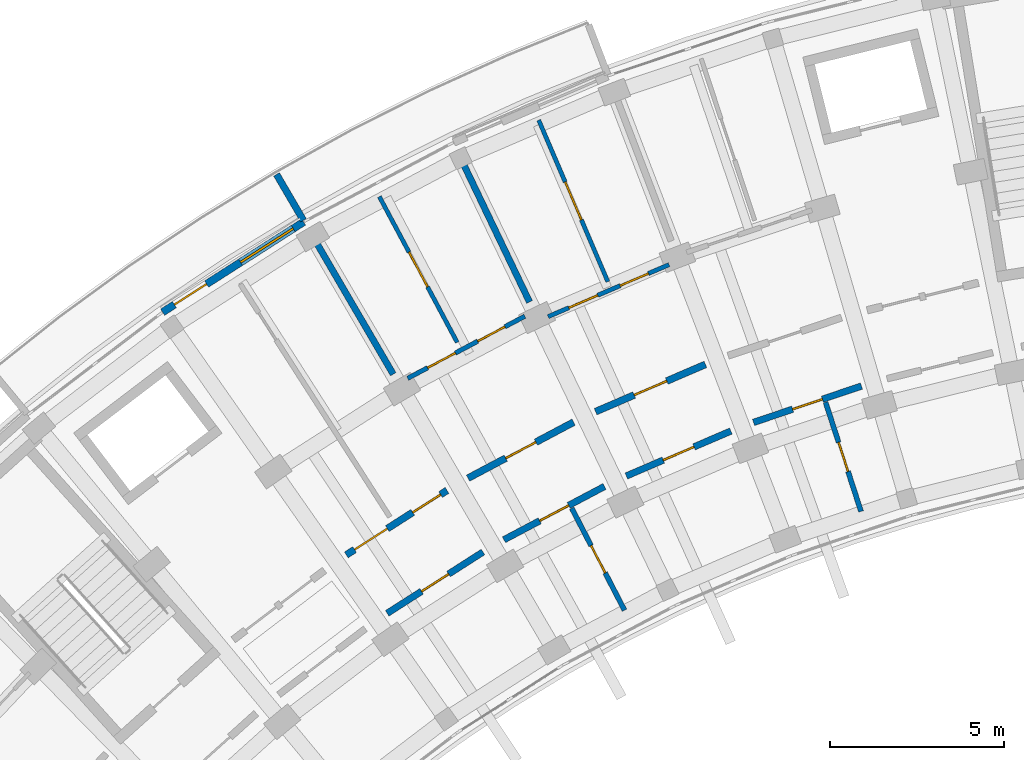
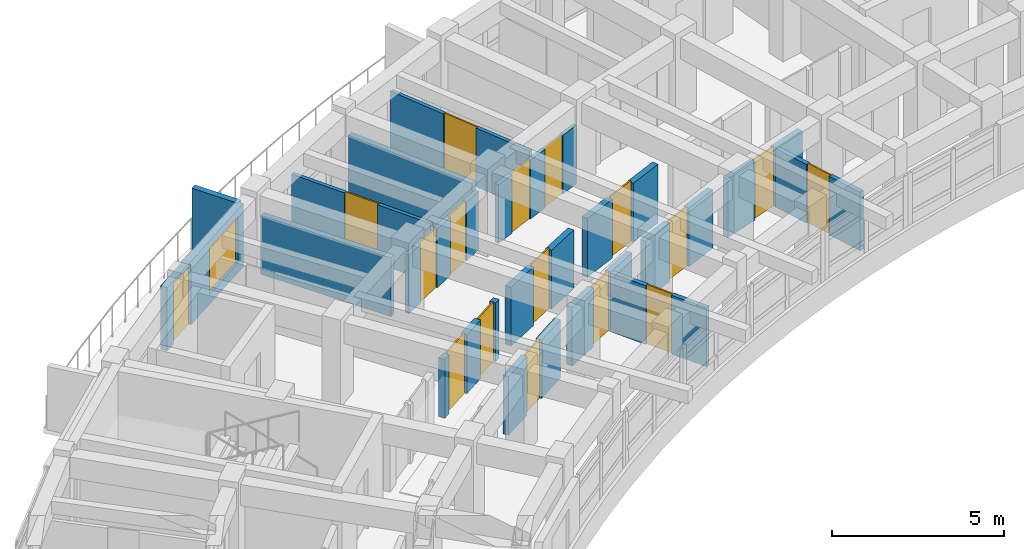
# One storey, part 45 of 70: 17 doors, 17 walls, 1 window, 18 openings.
"""IFC4 building model written with IfcOpenShell, lengths in metres."""

import ifcopenshell
import ifcopenshell.guid

model = None  # the IFC model being written
_history = None  # IfcOwnerHistory: only IFC2X3 demands one
_inside = {}  # id of a spatial element -> (the spatial element, [elements in it])
_under = {}  # id of a project, library or spatial element -> (it, [spatial elements below it])
_declared = {}  # id of a project -> (the project, [libraries it declares])
_typed = {}  # id of a type object -> (the type object, [elements of that type])
_made_of = {}  # id of a material, layer set ... -> (it, [elements and type objects made of it])


def new_model(schema):
    """Start an empty IFC model of exactly this schema.

    Asked for "IFC4X3", IfcOpenShell would pick the latest addendum, in which some entities
    have other attributes; the version numbers below select the first issue.
    IFC2X3 requires an IfcOwnerHistory on every rooted entity: one is made here for all.
    """
    global model, _history
    if schema == "IFC4X3":
        model = ifcopenshell.file(schema_version=(4, 3, 0, 0))
    else:
        model = ifcopenshell.file(schema=schema)
    _inside.clear()
    _under.clear()
    _declared.clear()
    _typed.clear()
    _made_of.clear()
    _history = None
    if model.schema == "IFC2X3":
        org = make("IfcOrganization", Name="unknown")
        user = make(
            "IfcPersonAndOrganization",
            ThePerson=make("IfcPerson", FamilyName="unknown"),
            TheOrganization=org,
        )
        app = make(
            "IfcApplication",
            ApplicationDeveloper=org,
            Version="unknown",
            ApplicationFullName="unknown",
            ApplicationIdentifier="unknown",
        )
        _history = make(
            "IfcOwnerHistory",
            OwningUser=user,
            OwningApplication=app,
            ChangeAction="ADDED",
            CreationDate=0,
        )
    return model


def make(cls, **values):
    """One entity of the class cls with the attributes given. An attribute that is None is left unset."""
    return model.create_entity(
        cls, **{name: value for name, value in values.items() if value is not None}
    )


def rooted(cls, **values):
    """An entity with a GlobalId (a new one), such as an element, a storey or a relation."""
    return make(cls, GlobalId=ifcopenshell.guid.new(), OwnerHistory=_history, **values)


def si_unit(unit_type, name, prefix=None):
    """IfcSIUnit, for example si_unit("LENGTHUNIT", "METRE", prefix="MILLI")."""
    return make("IfcSIUnit", UnitType=unit_type, Prefix=prefix, Name=name)


def assignment(units):
    """IfcUnitAssignment: the units of a project."""
    return None if units is None else make("IfcUnitAssignment", Units=units)


def point(xyz):
    """IfcCartesianPoint."""
    return None if xyz is None else make("IfcCartesianPoint", Coordinates=xyz)


def direction(xyz):
    """IfcDirection."""
    return None if xyz is None else make("IfcDirection", DirectionRatios=xyz)


def frame(location, z_axis=None, x_axis=None):
    """IfcAxis2Placement3D, a coordinate frame: its origin and axes. An axis left out is left unset."""
    return make(
        "IfcAxis2Placement3D",
        Location=point(location),
        Axis=direction(z_axis),
        RefDirection=direction(x_axis),
    )


def frame_2d(location, x_axis=None):
    """IfcAxis2Placement2D, a coordinate frame in the plane: its origin and x axis."""
    return make(
        "IfcAxis2Placement2D", Location=point(location), RefDirection=direction(x_axis)
    )


def origin():
    """The frame at (0, 0, 0) with its axes left unset."""
    return frame((0.0, 0.0, 0.0))


def place(relative_to, where):
    """IfcLocalPlacement: puts the frame where relative to a parent placement (None: the world)."""
    return make(
        "IfcLocalPlacement", PlacementRelTo=relative_to, RelativePlacement=where
    )


def context(
    kind, dimensions, precision=None, world=None, true_north=None, identifier=None
):
    """IfcGeometricRepresentationContext, for example the 3D "Model" context."""
    return make(
        "IfcGeometricRepresentationContext",
        ContextIdentifier=identifier,
        ContextType=kind,
        CoordinateSpaceDimension=dimensions,
        Precision=precision,
        WorldCoordinateSystem=world,
        TrueNorth=true_north,
    )


def subcontext(parent, identifier, kind, view, scale=None):
    """IfcGeometricRepresentationSubContext, for example "Body" below "Model"."""
    return make(
        "IfcGeometricRepresentationSubContext",
        ContextIdentifier=identifier,
        ContextType=kind,
        ParentContext=parent,
        TargetScale=scale,
        TargetView=view,
    )


def project(units=None, contexts=None):
    """IfcProject with its units and contexts."""
    return rooted(
        "IfcProject",
        Name="project",
        RepresentationContexts=contexts,
        UnitsInContext=assignment(units),
    )


def spatial(cls, under=None, at=None, **own):
    """A site, building, storey or space (cls), placed at a placement, below another one or the project."""
    s = rooted(cls, ObjectPlacement=at, **own)
    if under is not None:
        _under.setdefault(under.id(), (under, []))[1].append(s)
    return s


def profile(cls, at=None, kind="AREA", **sizes):
    """A parametric profile (cls). Its sizes go by their IFC names, for example OverallWidth=200.0."""
    return make(cls, ProfileType=kind, Position=at, **sizes)


def rectangle(**sizes):
    """IfcRectangleProfileDef."""
    return profile("IfcRectangleProfileDef", **sizes)


def extrude(swept, where, along, depth):
    """IfcExtrudedAreaSolid: the profile swept, set in the frame where, extruded along a direction by depth."""
    return make(
        "IfcExtrudedAreaSolid",
        SweptArea=swept,
        Position=where,
        ExtrudedDirection=direction(along),
        Depth=depth,
    )


def shape(context_of_items, identifier, shape_type, items):
    """IfcShapeRepresentation: the items that make up one representation, for example the "Body"."""
    return make(
        "IfcShapeRepresentation",
        ContextOfItems=context_of_items,
        RepresentationIdentifier=identifier,
        RepresentationType=shape_type,
        Items=items,
    )


def material(Name=None, Category=None):
    """IfcMaterial."""
    return make("IfcMaterial", Name=Name, Category=Category)


def layer(
    of_material, thickness, ventilated=None, Name=None, Category=None, Priority=None
):
    """IfcMaterialLayer: one layer of a wall or slab, of a material (None: an air gap)."""
    return make(
        "IfcMaterialLayer",
        Material=of_material,
        LayerThickness=thickness,
        IsVentilated=ventilated,
        Name=Name,
        Category=Category,
        Priority=Priority,
    )


def layer_set(layers, Name=None):
    """IfcMaterialLayerSet."""
    return make("IfcMaterialLayerSet", MaterialLayers=layers, LayerSetName=Name)


def made_of(thing, what):
    """Note that an element or type object is made of a material, layer set ...; save() writes the relation."""
    if what is not None:
        _made_of.setdefault(what.id(), (what, []))[1].append(thing)
    return thing


def type_object(cls, material=None, **own):
    """A type object (cls), such as IfcWallType, which elements share."""
    return made_of(rooted(cls, **own), material)


def element(
    cls,
    number,
    at=None,
    inside=None,
    cuts=None,
    type_object=None,
    material=None,
    context=None,
    identifier="Body",
    shape_type=None,
    held_by="IfcProductDefinitionShape",
    body=None,
    shapes=None,
    **own,
):
    """One element of the class cls, such as IfcWall. Its Tag is "e" and its number.

    at: its placement. inside: the storey or other place that contains it. cuts: it is an
    opening in that element (IfcRelVoidsElement). A single representation is given by context,
    identifier, shape_type and body (its items); several are given by shapes. held_by: the class
    of the entity that holds the representations. save() writes the other relations.
    """
    e = rooted(cls, Tag="e%d" % number, ObjectPlacement=at, **own)
    if body is not None:
        shapes = [shape(context, identifier, shape_type, body)]
    if shapes is not None:
        e.Representation = make(held_by, Representations=shapes)
    if inside is not None:
        _inside.setdefault(inside.id(), (inside, []))[1].append(e)
    if cuts is not None:
        rooted(
            "IfcRelVoidsElement", RelatingBuildingElement=cuts, RelatedOpeningElement=e
        )
    if type_object is not None:
        _typed.setdefault(type_object.id(), (type_object, []))[1].append(e)
    return made_of(e, material)


def fill(opening, filler):
    """IfcRelFillsElement: the door or window that sits in an opening."""
    return rooted(
        "IfcRelFillsElement",
        RelatingOpeningElement=opening,
        RelatedBuildingElement=filler,
    )


def aggregate(whole, parts):
    """IfcRelAggregates: a whole, such as a stair, and the parts it consists of."""
    return rooted("IfcRelAggregates", RelatingObject=whole, RelatedObjects=parts)


def save(model, path):
    """Write the relations noted so far, then the file.

    IfcRelAggregates (storeys below a building ...), IfcRelContainedInSpatialStructure (elements
    in a storey), IfcRelDefinesByType, IfcRelAssociatesMaterial and IfcRelDeclares: one each for
    every whole, place, type object, material and project.
    """
    for whole, parts in _under.values():
        aggregate(whole, parts)
    for where, things in _inside.values():
        rooted(
            "IfcRelContainedInSpatialStructure",
            RelatedElements=things,
            RelatingStructure=where,
        )
    for kind, things in _typed.values():
        rooted("IfcRelDefinesByType", RelatedObjects=things, RelatingType=kind)
    for what, things in _made_of.values():
        rooted("IfcRelAssociatesMaterial", RelatedObjects=things, RelatingMaterial=what)
    for by, libraries in _declared.values():
        rooted("IfcRelDeclares", RelatingContext=by, RelatedDefinitions=libraries)
    model.write(path)


model = new_model("IFC4")

# Units and contexts
model_context = context("Model", 3, precision=1e-05, world=origin(), true_north=direction((0.0, 1.0)))
body_context = subcontext(model_context, "Body", "Model", "MODEL_VIEW")
ifc_project = project(units=[si_unit("LENGTHUNIT", "METRE"), si_unit("AREAUNIT", "SQUARE_METRE"), si_unit("VOLUMEUNIT", "CUBIC_METRE"), si_unit("PLANEANGLEUNIT", "RADIAN"), si_unit("MASSUNIT", "GRAM", prefix="KILO")], contexts=[model_context])

# Site, building, storey
site_placement = place(None, origin())
site = spatial("IfcSite", under=ifc_project, at=site_placement, CompositionType="ELEMENT")
building_placement = place(site_placement, origin())
building = spatial("IfcBuilding", under=site, at=building_placement, Name="Zimvara Arc Housing Community", CompositionType="ELEMENT")
storey_placement = place(building_placement, frame((0.0, 0.0, 8.10009765625)))
storey = spatial("IfcBuildingStorey", under=building, at=storey_placement, Name="L02", CompositionType="ELEMENT", Elevation=8.10009765625)

# Wall
ifc_material_1 = material(Name="Board-Marked Fair-Faced Concrete C35/45", Category="concrete")
ifc_layer_1 = layer(ifc_material_1, 0.195068359375)
ifc_layer_set_1 = layer_set([ifc_layer_1], Name="Board-Marked Fair-Faced Concrete C35/45")
wall_type_1 = type_object("IfcWallType", Name="EWL-PARA-195", PredefinedType="PARAPET", material=ifc_layer_set_1)
wall_1_placement = place(storey_placement, frame((15.038818359375, 95.8134765625, 0.0), z_axis=(0.0, 0.0, 1.0), x_axis=(-0.504228145431, 0.863570481985, 0.0)))
element("IfcWall", 1, at=wall_1_placement, inside=storey, type_object=wall_type_1, Name="finwall:blkA:L02:out:b4", PredefinedType="PARAPET", context=body_context, shape_type="SweptSolid", body=[
    extrude(rectangle(XDim=1.530029296875, YDim=0.195068359375, at=frame_2d((0.76513671875, 0.0))), origin(), (0.0, 0.0, 1.0), 2.25),
])

# Wall, openings, door, window
ifc_material_2 = material(Name="Board-Marked Fair-Faced Concrete C35/45", Category="concrete")
ifc_layer_2 = layer(ifc_material_2, 0.218017578125)
ifc_layer_set_2 = layer_set([ifc_layer_2], Name="Board-Marked Fair-Faced Concrete C35/45")
wall_type_2 = type_object("IfcWallType", Name="EWL-VAR-12", PredefinedType="SOLIDWALL", material=ifc_layer_set_2)
wall_2_placement = place(storey_placement, frame((10.991943359375, 93.17578125, 0.0), z_axis=(0.0, 0.0, 1.0), x_axis=(0.84226218024, 0.539068103061, 0.0)))
wall_2 = element("IfcWall", 2, at=wall_2_placement, inside=storey, type_object=wall_type_2, Name="ewall:blkA:L02:out:b3", PredefinedType="SOLIDWALL", context=body_context, shape_type="SweptSolid", body=[
    extrude(rectangle(XDim=4.808837890625, YDim=0.218017578125, at=frame_2d((2.404296875, 0.0))), origin(), (0.0, 0.0, 1.0), 2.25),
])
opening_1_placement = place(wall_2_placement, frame((0.39990234375, 0.0, 0.0)))
opening_1 = element("IfcOpeningElement", 3, at=opening_1_placement, cuts=wall_2, Name="Opening ED06", PredefinedType="OPENING", context=body_context, shape_type="SweptSolid", body=[
    extrude(rectangle(XDim=1.10009765625, YDim=2.14990234375, at=frame_2d((0.550048828125, 1.074951171875))), frame((0.0, 0.118896484375, 0.0), z_axis=(0.0, -1.0, 0.0), x_axis=(1.0, 0.0, 0.0)), (0.0, 0.0, 1.0), 0.238037109375),
])
opening_2_placement = place(wall_2_placement, frame((2.658935546875, 0.0, 0.35009765625)))
opening_2 = element("IfcOpeningElement", 4, at=opening_2_placement, cuts=wall_2, Name="Opening W08", PredefinedType="OPENING", context=body_context, shape_type="SweptSolid", body=[
    extrude(rectangle(XDim=1.800048828125, YDim=1.64990234375, at=frame_2d((0.89990234375, 0.824951171875))), frame((0.0, 0.118896484375, 0.0), z_axis=(0.0, -1.0, 0.0), x_axis=(1.0, 0.0, 0.0)), (0.0, 0.0, 1.0), 0.238037109375),
])
ifc_material_3 = material(Name="Anodised Aluminium AW-6063", Category="aluminium")
door_type_1 = type_object("IfcDoorType", Name="EDR-TERR-1100x2150", OperationType="NOTDEFINED", PredefinedType="DOOR", material=ifc_material_3)
door_1_placement = place(opening_1_placement, origin())
door_1 = element("IfcDoor", 5, at=door_1_placement, inside=storey, type_object=door_type_1, Name="edoor:blkA:L02:bal_out:b3", OperationType="SINGLE_SWING_LEFT", OverallHeight=2.14990234375, OverallWidth=1.10009765625, PredefinedType="DOOR", context=body_context, shape_type="SweptSolid", body=[
    extrude(rectangle(XDim=1.10009765625, YDim=2.14990234375, at=frame_2d((0.550048828125, 1.074951171875))), frame((0.0, 0.02490234375, 0.0), z_axis=(0.0, -1.0, 0.0), x_axis=(1.0, 0.0, 0.0)), (0.0, 0.0, 1.0), 0.050048828125),
])
fill(opening_1, door_1)
ifc_material_4 = material(Name="Solar Control Low-E Double Glazing", Category="glass")
window_type = type_object("IfcWindowType", Name="WIN-RES-1800x1650", PartitioningType="TRIPLE_PANEL_VERTICAL", PredefinedType="WINDOW", material=ifc_material_4)
window_placement = place(opening_2_placement, origin())
window = element("IfcWindow", 6, at=window_placement, inside=storey, type_object=window_type, Name="win:blkA:L02:out:b3:balw", OverallHeight=1.64990234375, OverallWidth=1.800048828125, PartitioningType="TRIPLE_PANEL_VERTICAL", PredefinedType="WINDOW", context=body_context, shape_type="SweptSolid", body=[
    extrude(rectangle(XDim=1.800048828125, YDim=1.64990234375, at=frame_2d((0.89990234375, 0.824951171875))), frame((0.0, 0.030029296875, 0.0), z_axis=(0.0, -1.0, 0.0), x_axis=(1.0, 0.0, 0.0)), (0.0, 0.0, 1.0), 0.06005859375),
])
fill(opening_2, window)

# Wall, opening, door
ifc_material_5 = material(Name="Concrete C35/45", Category="concrete")
ifc_layer_3 = layer(ifc_material_5, 0.18994140625)
ifc_layer_set_3 = layer_set([ifc_layer_3], Name="Concrete C35/45")
wall_type_3 = type_object("IfcWallType", Name="IWL-CORR-190", PredefinedType="SOLIDWALL", material=ifc_layer_set_3)
wall_3_placement = place(storey_placement, frame((17.44677734375, 84.518798828125, 0.0), z_axis=(0.0, 0.0, 1.0), x_axis=(0.842225276846, 0.539125758095, 0.0)))
wall_3 = element("IfcWall", 7, at=wall_3_placement, inside=storey, type_object=wall_type_3, Name="iwall:blkA:L02:corr_in:b3", PredefinedType="SOLIDWALL", context=body_context, shape_type="SweptSolid", body=[
    extrude(rectangle(XDim=3.2685546875, YDim=0.18994140625, at=frame_2d((1.63427734375, 0.0))), origin(), (0.0, 0.0, 1.0), 2.079833984375),
])
opening_3_placement = place(wall_3_placement, frame((1.17431640625, 0.0, 0.0)))
opening_3 = element("IfcOpeningElement", 8, at=opening_3_placement, cuts=wall_3, Name="Opening D02", PredefinedType="OPENING", context=body_context, shape_type="SweptSolid", body=[
    extrude(rectangle(XDim=0.919921875, YDim=2.10009765625, at=frame_2d((0.4599609375, 1.050048828125))), frame((0.0, 0.10498046875, 0.0), z_axis=(0.0, -1.0, 0.0), x_axis=(1.0, 0.0, 0.0)), (0.0, 0.0, 1.0), 0.2099609375),
])
ifc_material_6 = material(Name="Mozambican Hardwood", Category="wood")
door_type_2 = type_object("IfcDoorType", Name="IDR-RM-0920x2100", OperationType="NOTDEFINED", PredefinedType="DOOR", material=ifc_material_6)
door_2_placement = place(opening_3_placement, origin())
door_2 = element("IfcDoor", 9, at=door_2_placement, inside=storey, type_object=door_type_2, Name="idoor:blkA:L02:in_rm:b3", OperationType="SINGLE_SWING_RIGHT", OverallHeight=2.10009765625, OverallWidth=0.919921875, PredefinedType="DOOR", context=body_context, shape_type="SweptSolid", body=[
    extrude(rectangle(XDim=0.919921875, YDim=2.10009765625, at=frame_2d((0.4599609375, 1.050048828125))), frame((0.0, 0.02490234375, 0.0), z_axis=(0.0, -1.0, 0.0), x_axis=(1.0, 0.0, 0.0)), (0.0, 0.0, 1.0), 0.050048828125),
])
fill(opening_3, door_2)

wall_4_placement = place(storey_placement, frame((20.8037109375, 86.633544921875, 0.0), z_axis=(0.0, 0.0, 1.0), x_axis=(0.883444301944, 0.468536194293, 0.0)))
wall_4 = element("IfcWall", 10, at=wall_4_placement, inside=storey, type_object=wall_type_3, Name="iwall:blkA:L02:corr_in:b4", PredefinedType="SOLIDWALL", context=body_context, shape_type="SweptSolid", body=[
    extrude(rectangle(XDim=3.268798828125, YDim=0.18994140625, at=frame_2d((1.63427734375, 0.0))), origin(), (0.0, 0.0, 1.0), 2.079833984375),
])
opening_4_placement = place(wall_4_placement, frame((1.164306640625, 0.0, 0.0)))
opening_4 = element("IfcOpeningElement", 11, at=opening_4_placement, cuts=wall_4, Name="Opening D03", PredefinedType="OPENING", context=body_context, shape_type="SweptSolid", body=[
    extrude(rectangle(XDim=0.93994140625, YDim=2.10009765625, at=frame_2d((0.469970703125, 1.050048828125))), frame((0.0, 0.10498046875, 0.0), z_axis=(0.0, -1.0, 0.0), x_axis=(1.0, 0.0, 0.0)), (0.0, 0.0, 1.0), 0.2099609375),
])
ifc_material_7 = material(Name="Mozambican Hardwood", Category="wood")
door_type_3 = type_object("IfcDoorType", Name="IDR-RM-0940x2100", OperationType="NOTDEFINED", PredefinedType="DOOR", material=ifc_material_7)
door_3_placement = place(opening_4_placement, origin())
door_3 = element("IfcDoor", 12, at=door_3_placement, inside=storey, type_object=door_type_3, Name="idoor:blkA:L02:in_rm:b4", OperationType="SINGLE_SWING_LEFT", OverallHeight=2.10009765625, OverallWidth=0.93994140625, PredefinedType="DOOR", context=body_context, shape_type="SweptSolid", body=[
    extrude(rectangle(XDim=0.93994140625, YDim=2.10009765625, at=frame_2d((0.469970703125, 1.050048828125))), frame((0.0, 0.02490234375, 0.0), z_axis=(0.0, -1.0, 0.0), x_axis=(1.0, 0.0, 0.0)), (0.0, 0.0, 1.0), 0.050048828125),
])
fill(opening_4, door_3)

wall_5_placement = place(storey_placement, frame((24.322265625, 88.46728515625, 0.0), z_axis=(0.0, 0.0, 1.0), x_axis=(0.918723391052, 0.394901672235, 0.0)))
wall_5 = element("IfcWall", 13, at=wall_5_placement, inside=storey, type_object=wall_type_3, Name="iwall:blkA:L02:corr_in:b5", PredefinedType="SOLIDWALL", context=body_context, shape_type="SweptSolid", body=[
    extrude(rectangle(XDim=3.2685546875, YDim=0.18994140625, at=frame_2d((1.63427734375, 0.0))), origin(), (0.0, 0.0, 1.0), 2.079833984375),
])
opening_5_placement = place(wall_5_placement, frame((1.154296875, 0.0, 0.0)))
opening_5 = element("IfcOpeningElement", 14, at=opening_5_placement, cuts=wall_5, Name="Opening D04", PredefinedType="OPENING", context=body_context, shape_type="SweptSolid", body=[
    extrude(rectangle(XDim=0.9599609375, YDim=2.10009765625, at=frame_2d((0.47998046875, 1.050048828125))), frame((0.0, 0.10498046875, 0.0), z_axis=(0.0, -1.0, 0.0), x_axis=(1.0, 0.0, 0.0)), (0.0, 0.0, 1.0), 0.2099609375),
])
ifc_material_8 = material(Name="Mozambican Hardwood", Category="wood")
door_type_4 = type_object("IfcDoorType", Name="IDR-RM-0960x2100", OperationType="NOTDEFINED", PredefinedType="DOOR", material=ifc_material_8)
door_4_placement = place(opening_5_placement, origin())
door_4 = element("IfcDoor", 15, at=door_4_placement, inside=storey, type_object=door_type_4, Name="idoor:blkA:L02:in_rm:b5", OperationType="SINGLE_SWING_LEFT", OverallHeight=2.10009765625, OverallWidth=0.9599609375, PredefinedType="DOOR", context=body_context, shape_type="SweptSolid", body=[
    extrude(rectangle(XDim=0.9599609375, YDim=2.10009765625, at=frame_2d((0.47998046875, 1.050048828125))), frame((0.0, 0.02490234375, 0.0), z_axis=(0.0, -1.0, 0.0), x_axis=(1.0, 0.0, 0.0)), (0.0, 0.0, 1.0), 0.050048828125),
])
fill(opening_5, door_4)

wall_6_placement = place(storey_placement, frame((27.978515625, 90.0078125, 0.0), z_axis=(0.0, 0.0, 1.0), x_axis=(0.94787351033, 0.318646839643, 0.0)))
wall_6 = element("IfcWall", 16, at=wall_6_placement, inside=storey, type_object=wall_type_3, Name="iwall:blkA:L02:corr_in:b6", PredefinedType="SOLIDWALL", context=body_context, shape_type="SweptSolid", body=[
    extrude(rectangle(XDim=3.2685546875, YDim=0.18994140625, at=frame_2d((1.63427734375, 0.0))), origin(), (0.0, 0.0, 1.0), 2.079833984375),
])
opening_6_placement = place(wall_6_placement, frame((1.184326171875, 0.0, 0.0)))
opening_6 = element("IfcOpeningElement", 17, at=opening_6_placement, cuts=wall_6, Name="Opening D01", PredefinedType="OPENING", context=body_context, shape_type="SweptSolid", body=[
    extrude(rectangle(XDim=0.89990234375, YDim=2.10009765625, at=frame_2d((0.449951171875, 1.050048828125))), frame((0.0, 0.10498046875, 0.0), z_axis=(0.0, -1.0, 0.0), x_axis=(1.0, 0.0, 0.0)), (0.0, 0.0, 1.0), 0.2099609375),
])
ifc_material_9 = material(Name="Mozambican Hardwood", Category="wood")
door_type_5 = type_object("IfcDoorType", Name="IDR-RM-0900x2100", OperationType="NOTDEFINED", PredefinedType="DOOR", material=ifc_material_9)
door_5_placement = place(opening_6_placement, origin())
door_5 = element("IfcDoor", 18, at=door_5_placement, inside=storey, type_object=door_type_5, Name="idoor:blkA:L02:in_rm:b6", OperationType="SINGLE_SWING_RIGHT", OverallHeight=2.10009765625, OverallWidth=0.89990234375, PredefinedType="DOOR", context=body_context, shape_type="SweptSolid", body=[
    extrude(rectangle(XDim=0.89990234375, YDim=2.10009765625, at=frame_2d((0.449951171875, 1.050048828125))), frame((0.0, 0.02490234375, 0.0), z_axis=(0.0, -1.0, 0.0), x_axis=(1.0, 0.0, 0.0)), (0.0, 0.0, 1.0), 0.050048828125),
])
fill(opening_6, door_5)

# Wall, openings, doors
ifc_material_10 = material(Name="Concrete C35/45", Category="concrete")
ifc_layer_4 = layer(ifc_material_10, 0.199951171875)
ifc_layer_set_4 = layer_set([ifc_layer_4], Name="Concrete C35/45")
wall_type_4 = type_object("IfcWallType", Name="IWL-CORR-200", PredefinedType="SOLIDWALL", material=ifc_layer_set_4)
wall_7_placement = place(storey_placement, frame((16.272216796875, 86.198974609375, 0.0), z_axis=(0.0, 0.0, 1.0), x_axis=(0.842257205985, 0.539075874963, 0.0)))
wall_7 = element("IfcWall", 19, at=wall_7_placement, inside=storey, type_object=wall_type_4, Name="iwall:blkA:L02:corr_out:b3", PredefinedType="SOLIDWALL", context=body_context, shape_type="SweptSolid", body=[
    extrude(rectangle(XDim=3.43603515625, YDim=0.199951171875, at=frame_2d((1.718017578125, 0.0))), origin(), (0.0, 0.0, 1.0), 2.079833984375),
])
opening_7_placement = place(wall_7_placement, frame((0.280029296875, 0.0, 0.0)))
opening_7 = element("IfcOpeningElement", 20, at=opening_7_placement, cuts=wall_7, Name="Opening D07", PredefinedType="OPENING", context=body_context, shape_type="SweptSolid", body=[
    extrude(rectangle(XDim=1.1201171875, YDim=2.14990234375, at=frame_2d((0.56005859375, 1.074951171875))), frame((0.0, 0.10986328125, 0.0), z_axis=(0.0, -1.0, 0.0), x_axis=(1.0, 0.0, 0.0)), (0.0, 0.0, 1.0), 0.219970703125),
])
opening_8_placement = place(wall_7_placement, frame((2.26611328125, 0.0, 0.0)))
opening_8 = element("IfcOpeningElement", 21, at=opening_8_placement, cuts=wall_7, Name="Opening D06", PredefinedType="OPENING", context=body_context, shape_type="SweptSolid", body=[
    extrude(rectangle(XDim=0.949951171875, YDim=2.10009765625, at=frame_2d((0.47509765625, 1.050048828125))), frame((0.0, 0.10986328125, 0.0), z_axis=(0.0, -1.0, 0.0), x_axis=(1.0, 0.0, 0.0)), (0.0, 0.0, 1.0), 0.219970703125),
])
ifc_material_11 = material(Name="Mozambican Hardwood", Category="wood")
door_type_6 = type_object("IfcDoorType", Name="IDR-AMN-1120x2150", OperationType="NOTDEFINED", PredefinedType="DOOR", material=ifc_material_11)
door_6_placement = place(opening_7_placement, origin())
door_6 = element("IfcDoor", 22, at=door_6_placement, inside=storey, type_object=door_type_6, Name="idoor:blkA:L02:amen:b3", OperationType="SINGLE_SWING_RIGHT", OverallHeight=2.14990234375, OverallWidth=1.1201171875, PredefinedType="DOOR", context=body_context, shape_type="SweptSolid", body=[
    extrude(rectangle(XDim=1.1201171875, YDim=2.14990234375, at=frame_2d((0.56005859375, 1.074951171875))), frame((0.0, 0.02490234375, 0.0), z_axis=(0.0, -1.0, 0.0), x_axis=(1.0, 0.0, 0.0)), (0.0, 0.0, 1.0), 0.050048828125),
])
fill(opening_7, door_6)
ifc_material_12 = material(Name="Mozambican Hardwood", Category="wood")
door_type_7 = type_object("IfcDoorType", Name="IDR-AWC-0950x2100", OperationType="NOTDEFINED", PredefinedType="DOOR", material=ifc_material_12)
door_7_placement = place(opening_8_placement, origin())
door_7 = element("IfcDoor", 23, at=door_7_placement, inside=storey, type_object=door_type_7, Name="idoor:blkA:L02:cawc:b3", OperationType="SINGLE_SWING_LEFT", OverallHeight=2.10009765625, OverallWidth=0.949951171875, PredefinedType="DOOR", context=body_context, shape_type="SweptSolid", body=[
    extrude(rectangle(XDim=0.949951171875, YDim=2.10009765625, at=frame_2d((0.47509765625, 1.050048828125))), frame((0.0, 0.02490234375, 0.0), z_axis=(0.0, -1.0, 0.0), x_axis=(1.0, 0.0, 0.0)), (0.0, 0.0, 1.0), 0.050048828125),
])
fill(opening_8, door_7)

# Wall, opening, door
wall_8_placement = place(storey_placement, frame((19.770263671875, 88.40380859375, 0.0), z_axis=(0.0, 0.0, 1.0), x_axis=(0.883410853063, 0.468599258099, 0.0)))
wall_8 = element("IfcWall", 24, at=wall_8_placement, inside=storey, type_object=wall_type_4, Name="iwall:blkA:L02:corr_out:b4", PredefinedType="SOLIDWALL", context=body_context, shape_type="SweptSolid", body=[
    extrude(rectangle(XDim=3.43603515625, YDim=0.199951171875, at=frame_2d((1.718017578125, 0.0))), origin(), (0.0, 0.0, 1.0), 2.079833984375),
])
opening_9_placement = place(wall_8_placement, frame((1.22802734375, 0.0, 0.0)))
opening_9 = element("IfcOpeningElement", 25, at=opening_9_placement, cuts=wall_8, Name="Opening FD-FL1", PredefinedType="OPENING", context=body_context, shape_type="SweptSolid", body=[
    extrude(rectangle(XDim=0.97998046875, YDim=2.14990234375, at=frame_2d((0.489990234375, 1.074951171875))), frame((0.0, 0.10986328125, 0.0), z_axis=(0.0, -1.0, 0.0), x_axis=(1.0, 0.0, 0.0)), (0.0, 0.0, 1.0), 0.219970703125),
])
ifc_material_13 = material(Name="Mozambican Hardwood", Category="wood")
door_type_8 = type_object("IfcDoorType", Name="IDR-FLAT-0980x2150", OperationType="NOTDEFINED", PredefinedType="DOOR", material=ifc_material_13)
door_8_placement = place(opening_9_placement, origin())
door_8 = element("IfcDoor", 26, at=door_8_placement, inside=storey, type_object=door_type_8, Name="idoor:blkA:L02:flat:b4", OperationType="SINGLE_SWING_RIGHT", OverallHeight=2.14990234375, OverallWidth=0.97998046875, PredefinedType="DOOR", context=body_context, shape_type="SweptSolid", body=[
    extrude(rectangle(XDim=0.97998046875, YDim=2.14990234375, at=frame_2d((0.489990234375, 1.074951171875))), frame((0.0, 0.02490234375, 0.0), z_axis=(0.0, -1.0, 0.0), x_axis=(1.0, 0.0, 0.0)), (0.0, 0.0, 1.0), 0.050048828125),
])
fill(opening_9, door_8)

wall_9_placement = place(storey_placement, frame((23.4365234375, 90.31591796875, 0.0), z_axis=(0.0, 0.0, 1.0), x_axis=(0.918718172399, 0.394913813008, 0.0)))
wall_9 = element("IfcWall", 27, at=wall_9_placement, inside=storey, type_object=wall_type_4, Name="iwall:blkA:L02:corr_out:b5", PredefinedType="SOLIDWALL", context=body_context, shape_type="SweptSolid", body=[
    extrude(rectangle(XDim=3.43603515625, YDim=0.199951171875, at=frame_2d((1.718017578125, 0.0))), origin(), (0.0, 0.0, 1.0), 2.079833984375),
])
opening_10_placement = place(wall_9_placement, frame((1.2080078125, 0.0, 0.0)))
opening_10 = element("IfcOpeningElement", 28, at=opening_10_placement, cuts=wall_9, Name="Opening FD-FL2", PredefinedType="OPENING", context=body_context, shape_type="SweptSolid", body=[
    extrude(rectangle(XDim=1.02001953125, YDim=2.14990234375, at=frame_2d((0.510009765625, 1.074951171875))), frame((0.0, 0.10986328125, 0.0), z_axis=(0.0, -1.0, 0.0), x_axis=(1.0, 0.0, 0.0)), (0.0, 0.0, 1.0), 0.219970703125),
])
ifc_material_14 = material(Name="Mozambican Hardwood", Category="wood")
door_type_9 = type_object("IfcDoorType", Name="IDR-FLAT-1020x2150", OperationType="NOTDEFINED", PredefinedType="DOOR", material=ifc_material_14)
door_9_placement = place(opening_10_placement, origin())
door_9 = element("IfcDoor", 29, at=door_9_placement, inside=storey, type_object=door_type_9, Name="idoor:blkA:L02:flat:b5", OperationType="SINGLE_SWING_RIGHT", OverallHeight=2.14990234375, OverallWidth=1.02001953125, PredefinedType="DOOR", context=body_context, shape_type="SweptSolid", body=[
    extrude(rectangle(XDim=1.02001953125, YDim=2.14990234375, at=frame_2d((0.510009765625, 1.074951171875))), frame((0.0, 0.02490234375, 0.0), z_axis=(0.0, -1.0, 0.0), x_axis=(1.0, 0.0, 0.0)), (0.0, 0.0, 1.0), 0.050048828125),
])
fill(opening_10, door_9)

# Walls
ifc_material_15 = material(Name="Concrete C35/45", Category="concrete")
ifc_layer_5 = layer(ifc_material_15, 0.18505859375)
ifc_layer_set_5 = layer_set([ifc_layer_5], Name="Concrete C35/45")
wall_type_5 = type_object("IfcWallType", Name="IWL-FLAT-185", PredefinedType="SOLIDWALL", material=ifc_layer_set_5)
for number, where, z_axis, x_axis, name in (
    (30, (17.62060546875, 91.391845703125, 0.0), (0.0, 0.0, 1.0), (-0.504216452091, 0.863577309475, 0.0), "iwall:blkA:L02:party:b4"),
    (31, (21.537841796875, 93.469482421875, 0.0), (0.0, 0.0, 1.0), (-0.432086898897, 0.901831975371, 0.0), "iwall:blkA:L02:party:b5"),
):
    element("IfcWall", number, at=place(storey_placement, frame(where, z_axis=z_axis, x_axis=x_axis)), inside=storey, type_object=wall_type_5, Name=name, PredefinedType="SOLIDWALL", context=body_context, shape_type="SweptSolid", body=[
        extrude(rectangle(XDim=4.35009765625, YDim=0.18505859375, at=frame_2d((2.175048828125, 0.0))), origin(), (0.0, 0.0, 1.0), 2.079833984375),
    ])

# Wall, opening, door
ifc_material_16 = material(Name="Painted Acoustic Plasterboard")
ifc_layer_6 = layer(ifc_material_16, 0.1201171875)
ifc_layer_set_6 = layer_set([ifc_layer_6], Name="Painted Acoustic Plasterboard")
wall_type_6 = type_object("IfcWallType", Name="IWL-PART-120", PredefinedType="PARTITIONING", material=ifc_layer_set_6)
wall_10_placement = place(storey_placement, frame((19.46044921875, 92.3056640625, 0.0), z_axis=(0.0, 0.0, 1.0), x_axis=(-0.471228378949, 0.88201123285, 0.0)))
wall_10 = element("IfcWall", 32, at=wall_10_placement, inside=storey, type_object=wall_type_6, Name="iwall:blkA:L02:bed_div:b4", PredefinedType="PARTITIONING", context=body_context, shape_type="SweptSolid", body=[
    extrude(rectangle(XDim=4.75, YDim=0.1201171875, at=frame_2d((2.375, 0.0))), origin(), (0.0, 0.0, 1.0), 2.079833984375),
])
opening_11_placement = place(wall_10_placement, frame((1.81005859375, 0.0, 0.0)))
opening_11 = element("IfcOpeningElement", 33, at=opening_11_placement, cuts=wall_10, Name="Opening D17", PredefinedType="OPENING", context=body_context, shape_type="SweptSolid", body=[
    extrude(rectangle(XDim=1.1298828125, YDim=2.10009765625, at=frame_2d((0.56494140625, 1.050048828125))), frame((0.0, 0.070068359375, 0.0), z_axis=(0.0, -1.0, 0.0), x_axis=(1.0, 0.0, 0.0)), (0.0, 0.0, 1.0), 0.14013671875),
])
ifc_material_17 = material(Name="Mozambican Hardwood", Category="wood")
door_type_10 = type_object("IfcDoorType", Name="IDR-MOD-1130x2240", OperationType="NOTDEFINED", PredefinedType="DOOR", material=ifc_material_17)
door_10_placement = place(opening_11_placement, origin())
door_10 = element("IfcDoor", 34, at=door_10_placement, inside=storey, type_object=door_type_10, Name="idoor:blkA:L02:bed_d:b4", OperationType="SINGLE_SWING_LEFT", OverallHeight=2.10009765625, OverallWidth=1.1298828125, PredefinedType="DOOR", context=body_context, shape_type="SweptSolid", body=[
    extrude(rectangle(XDim=1.1298828125, YDim=2.10009765625, at=frame_2d((0.56494140625, 1.050048828125))), frame((0.0, 0.02490234375, 0.0), z_axis=(0.0, -1.0, 0.0), x_axis=(1.0, 0.0, 0.0)), (0.0, 0.0, 1.0), 0.050048828125),
])
fill(opening_11, door_10)

wall_11_placement = place(storey_placement, frame((23.789306640625, 94.05126953125, 0.0), z_axis=(0.0, 0.0, 1.0), x_axis=(-0.393539995583, 0.919307495823, 0.0)))
wall_11 = element("IfcWall", 35, at=wall_11_placement, inside=storey, type_object=wall_type_6, Name="iwall:blkA:L02:bed_div:b5", PredefinedType="PARTITIONING", context=body_context, shape_type="SweptSolid", body=[
    extrude(rectangle(XDim=5.0498046875, YDim=0.1201171875, at=frame_2d((2.52490234375, 0.0))), origin(), (0.0, 0.0, 1.0), 2.079833984375),
])
opening_12_placement = place(wall_11_placement, frame((1.93505859375, 0.0, 0.0)))
opening_12 = element("IfcOpeningElement", 36, at=opening_12_placement, cuts=wall_11, Name="Opening D18", PredefinedType="OPENING", context=body_context, shape_type="SweptSolid", body=[
    extrude(rectangle(XDim=1.179931640625, YDim=2.10009765625, at=frame_2d((0.58984375, 1.050048828125))), frame((0.0, 0.070068359375, 0.0), z_axis=(0.0, -1.0, 0.0), x_axis=(1.0, 0.0, 0.0)), (0.0, 0.0, 1.0), 0.14013671875),
])
ifc_material_18 = material(Name="Mozambican Hardwood", Category="wood")
door_type_11 = type_object("IfcDoorType", Name="IDR-MOD-1180x2120", OperationType="NOTDEFINED", PredefinedType="DOOR", material=ifc_material_18)
door_11_placement = place(opening_12_placement, origin())
door_11 = element("IfcDoor", 37, at=door_11_placement, inside=storey, type_object=door_type_11, Name="idoor:blkA:L02:bed_d:b5", OperationType="SINGLE_SWING_RIGHT", OverallHeight=2.10009765625, OverallWidth=1.179931640625, PredefinedType="DOOR", context=body_context, shape_type="SweptSolid", body=[
    extrude(rectangle(XDim=1.179931640625, YDim=2.10009765625, at=frame_2d((0.58984375, 1.050048828125))), frame((0.0, 0.02490234375, 0.0), z_axis=(0.0, -1.0, 0.0), x_axis=(1.0, 0.0, 0.0)), (0.0, 0.0, 1.0), 0.050048828125),
])
fill(opening_12, door_11)

# Wall, openings, doors
ifc_material_19 = material(Name="Painted Acoustic Plasterboard")
ifc_layer_7 = layer(ifc_material_19, 0.125)
ifc_layer_set_7 = layer_set([ifc_layer_7], Name="Painted Acoustic Plasterboard")
wall_type_7 = type_object("IfcWallType", Name="IWL-PART-125", PredefinedType="PARTITIONING", material=ifc_layer_set_7)
wall_12_placement = place(storey_placement, frame((22.072509765625, 93.046875, 0.0), z_axis=(0.0, 0.0, 1.0), x_axis=(0.918737522346, 0.394868794707, 0.0)))
wall_12 = element("IfcWall", 38, at=wall_12_placement, inside=storey, type_object=wall_type_7, Name="iwall:blkA:L02:srv:b5", PredefinedType="PARTITIONING", context=body_context, shape_type="SweptSolid", body=[
    extrude(rectangle(XDim=3.78515625, YDim=0.125, at=frame_2d((1.892578125, 0.0))), origin(), (0.0, 0.0, 1.0), 2.079833984375),
])
opening_13_placement = place(wall_12_placement, frame((0.64990234375, 0.0, 0.0)))
opening_13 = element("IfcOpeningElement", 39, at=opening_13_placement, cuts=wall_12, Name="Opening D01", PredefinedType="OPENING", context=body_context, shape_type="SweptSolid", body=[
    extrude(rectangle(XDim=0.89990234375, YDim=2.10009765625, at=frame_2d((0.449951171875, 1.050048828125))), frame((0.0, 0.072509765625, 0.0), z_axis=(0.0, -1.0, 0.0), x_axis=(1.0, 0.0, 0.0)), (0.0, 0.0, 1.0), 0.14501953125),
])
opening_14_placement = place(wall_12_placement, frame((2.255126953125, 0.0, 0.0)))
opening_14 = element("IfcOpeningElement", 40, at=opening_14_placement, cuts=wall_12, Name="Opening D05", PredefinedType="OPENING", context=body_context, shape_type="SweptSolid", body=[
    extrude(rectangle(XDim=0.8798828125, YDim=2.10009765625, at=frame_2d((0.43994140625, 1.050048828125))), frame((0.0, 0.072509765625, 0.0), z_axis=(0.0, -1.0, 0.0), x_axis=(1.0, 0.0, 0.0)), (0.0, 0.0, 1.0), 0.14501953125),
])
door_12_placement = place(opening_13_placement, origin())
door_12 = element("IfcDoor", 41, at=door_12_placement, inside=storey, type_object=door_type_5, Name="idoor:blkA:L02:kit_liv:b5", OperationType="SINGLE_SWING_RIGHT", OverallHeight=2.10009765625, OverallWidth=0.89990234375, PredefinedType="DOOR", context=body_context, shape_type="SweptSolid", body=[
    extrude(rectangle(XDim=0.89990234375, YDim=2.10009765625, at=frame_2d((0.449951171875, 1.050048828125))), frame((0.0, 0.02490234375, 0.0), z_axis=(0.0, -1.0, 0.0), x_axis=(1.0, 0.0, 0.0)), (0.0, 0.0, 1.0), 0.050048828125),
])
fill(opening_13, door_12)
ifc_material_20 = material(Name="Mozambican Hardwood", Category="wood")
door_type_12 = type_object("IfcDoorType", Name="IDR-WC-0880x2100", OperationType="NOTDEFINED", PredefinedType="DOOR", material=ifc_material_20)
door_13_placement = place(opening_14_placement, origin())
door_13 = element("IfcDoor", 42, at=door_13_placement, inside=storey, type_object=door_type_12, Name="idoor:blkA:L02:bath_d:b5", OperationType="SINGLE_SWING_LEFT", OverallHeight=2.10009765625, OverallWidth=0.8798828125, PredefinedType="DOOR", context=body_context, shape_type="SweptSolid", body=[
    extrude(rectangle(XDim=0.8798828125, YDim=2.10009765625, at=frame_2d((0.43994140625, 1.050048828125))), frame((0.0, 0.02490234375, 0.0), z_axis=(0.0, -1.0, 0.0), x_axis=(1.0, 0.0, 0.0)), (0.0, 0.0, 1.0), 0.050048828125),
])
fill(opening_14, door_13)

ifc_material_21 = material(Name="Painted Acoustic Plasterboard")
ifc_layer_8 = layer(ifc_material_21, 0.1298828125)
ifc_layer_set_8 = layer_set([ifc_layer_8], Name="Painted Acoustic Plasterboard")
wall_type_8 = type_object("IfcWallType", Name="IWL-PART-130", PredefinedType="PARTITIONING", material=ifc_layer_set_8)
wall_13_placement = place(storey_placement, frame((18.036865234375, 91.2734375, 0.0), z_axis=(0.0, 0.0, 1.0), x_axis=(0.883441603894, 0.468541281543, 0.0)))
wall_13 = element("IfcWall", 43, at=wall_13_placement, inside=storey, type_object=wall_type_8, Name="iwall:blkA:L02:srv:b4", PredefinedType="PARTITIONING", context=body_context, shape_type="SweptSolid", body=[
    extrude(rectangle(XDim=3.8095703125, YDim=0.1298828125, at=frame_2d((1.90478515625, 0.0))), origin(), (0.0, 0.0, 1.0), 2.079833984375),
])
opening_15_placement = place(wall_13_placement, frame((0.64990234375, 0.0, 0.0)))
opening_15 = element("IfcOpeningElement", 44, at=opening_15_placement, cuts=wall_13, Name="Opening D01", PredefinedType="OPENING", context=body_context, shape_type="SweptSolid", body=[
    extrude(rectangle(XDim=0.89990234375, YDim=2.10009765625, at=frame_2d((0.449951171875, 1.050048828125))), frame((0.0, 0.074951171875, 0.0), z_axis=(0.0, -1.0, 0.0), x_axis=(1.0, 0.0, 0.0)), (0.0, 0.0, 1.0), 0.14990234375),
])
opening_16_placement = place(wall_13_placement, frame((2.279541015625, 0.0, 0.0)))
opening_16 = element("IfcOpeningElement", 45, at=opening_16_placement, cuts=wall_13, Name="Opening D05", PredefinedType="OPENING", context=body_context, shape_type="SweptSolid", body=[
    extrude(rectangle(XDim=0.8798828125, YDim=2.10009765625, at=frame_2d((0.43994140625, 1.050048828125))), frame((0.0, 0.074951171875, 0.0), z_axis=(0.0, -1.0, 0.0), x_axis=(1.0, 0.0, 0.0)), (0.0, 0.0, 1.0), 0.14990234375),
])
door_14_placement = place(opening_15_placement, origin())
door_14 = element("IfcDoor", 46, at=door_14_placement, inside=storey, type_object=door_type_5, Name="idoor:blkA:L02:kit_liv:b4", OperationType="SINGLE_SWING_LEFT", OverallHeight=2.10009765625, OverallWidth=0.89990234375, PredefinedType="DOOR", context=body_context, shape_type="SweptSolid", body=[
    extrude(rectangle(XDim=0.89990234375, YDim=2.10009765625, at=frame_2d((0.449951171875, 1.050048828125))), frame((0.0, 0.02490234375, 0.0), z_axis=(0.0, -1.0, 0.0), x_axis=(1.0, 0.0, 0.0)), (0.0, 0.0, 1.0), 0.050048828125),
])
fill(opening_15, door_14)
door_15_placement = place(opening_16_placement, origin())
door_15 = element("IfcDoor", 47, at=door_15_placement, inside=storey, type_object=door_type_12, Name="idoor:blkA:L02:bath_d:b4", OperationType="SINGLE_SWING_RIGHT", OverallHeight=2.10009765625, OverallWidth=0.8798828125, PredefinedType="DOOR", context=body_context, shape_type="SweptSolid", body=[
    extrude(rectangle(XDim=0.8798828125, YDim=2.10009765625, at=frame_2d((0.43994140625, 1.050048828125))), frame((0.0, 0.02490234375, 0.0), z_axis=(0.0, -1.0, 0.0), x_axis=(1.0, 0.0, 0.0)), (0.0, 0.0, 1.0), 0.050048828125),
])
fill(opening_16, door_15)

# Wall, opening, door
ifc_material_22 = material(Name="Painted Acoustic Plasterboard")
ifc_layer_9 = layer(ifc_material_22, 0.14501953125)
ifc_layer_set_9 = layer_set([ifc_layer_9], Name="Painted Acoustic Plasterboard")
wall_type_9 = type_object("IfcWallType", Name="IWL-WET-145", PredefinedType="PARTITIONING", material=ifc_layer_set_9)
wall_14_placement = place(storey_placement, frame((24.267333984375, 84.6083984375, 0.0), z_axis=(0.0, 0.0, 1.0), x_axis=(-0.459217611894, 0.888323806349, 0.0)))
wall_14 = element("IfcWall", 48, at=wall_14_placement, inside=storey, type_object=wall_type_9, Name="iwall:blkA:L02:ens:b4", PredefinedType="PARTITIONING", context=body_context, shape_type="SweptSolid", body=[
    extrude(rectangle(XDim=3.2998046875, YDim=0.14501953125, at=frame_2d((1.64990234375, 0.0))), origin(), (0.0, 0.0, 1.0), 2.079833984375),
])
opening_17_placement = place(wall_14_placement, frame((1.2099609375, 0.0, 0.0)))
opening_17 = element("IfcOpeningElement", 49, at=opening_17_placement, cuts=wall_14, Name="Opening D05", PredefinedType="OPENING", context=body_context, shape_type="SweptSolid", body=[
    extrude(rectangle(XDim=0.8798828125, YDim=2.10009765625, at=frame_2d((0.43994140625, 1.050048828125))), frame((0.0, 0.08251953125, 0.0), z_axis=(0.0, -1.0, 0.0), x_axis=(1.0, 0.0, 0.0)), (0.0, 0.0, 1.0), 0.1650390625),
])
door_16_placement = place(opening_17_placement, origin())
door_16 = element("IfcDoor", 50, at=door_16_placement, inside=storey, type_object=door_type_12, Name="idoor:blkA:L02:ens_d:b4", OperationType="SINGLE_SWING_RIGHT", OverallHeight=2.10009765625, OverallWidth=0.8798828125, PredefinedType="DOOR", context=body_context, shape_type="SweptSolid", body=[
    extrude(rectangle(XDim=0.8798828125, YDim=2.10009765625, at=frame_2d((0.43994140625, 1.050048828125))), frame((0.0, 0.02490234375, 0.0), z_axis=(0.0, -1.0, 0.0), x_axis=(1.0, 0.0, 0.0)), (0.0, 0.0, 1.0), 0.050048828125),
])
fill(opening_17, door_16)

wall_15_placement = place(storey_placement, frame((31.06640625, 87.4462890625, 0.0), z_axis=(0.0, 0.0, 1.0), x_axis=(-0.308582493915, 0.951197584337, 0.0)))
wall_15 = element("IfcWall", 51, at=wall_15_placement, inside=storey, type_object=wall_type_9, Name="iwall:blkA:L02:ens:b6", PredefinedType="PARTITIONING", context=body_context, shape_type="SweptSolid", body=[
    extrude(rectangle(XDim=3.300048828125, YDim=0.14501953125, at=frame_2d((1.64990234375, 0.0))), origin(), (0.0, 0.0, 1.0), 2.079833984375),
])
opening_18_placement = place(wall_15_placement, frame((1.2099609375, 0.0, 0.0)))
opening_18 = element("IfcOpeningElement", 52, at=opening_18_placement, cuts=wall_15, Name="Opening D05", PredefinedType="OPENING", context=body_context, shape_type="SweptSolid", body=[
    extrude(rectangle(XDim=0.8798828125, YDim=2.10009765625, at=frame_2d((0.43994140625, 1.050048828125))), frame((0.0, 0.08251953125, 0.0), z_axis=(0.0, -1.0, 0.0), x_axis=(1.0, 0.0, 0.0)), (0.0, 0.0, 1.0), 0.1650390625),
])
door_17_placement = place(opening_18_placement, origin())
door_17 = element("IfcDoor", 53, at=door_17_placement, inside=storey, type_object=door_type_12, Name="idoor:blkA:L02:ens_d:b6", OperationType="SINGLE_SWING_LEFT", OverallHeight=2.10009765625, OverallWidth=0.8798828125, PredefinedType="DOOR", context=body_context, shape_type="SweptSolid", body=[
    extrude(rectangle(XDim=0.8798828125, YDim=2.10009765625, at=frame_2d((0.43994140625, 1.050048828125))), frame((0.0, 0.02490234375, 0.0), z_axis=(0.0, -1.0, 0.0), x_axis=(1.0, 0.0, 0.0)), (0.0, 0.0, 1.0), 0.050048828125),
])
fill(opening_18, door_17)

save(model, "model.ifc")
